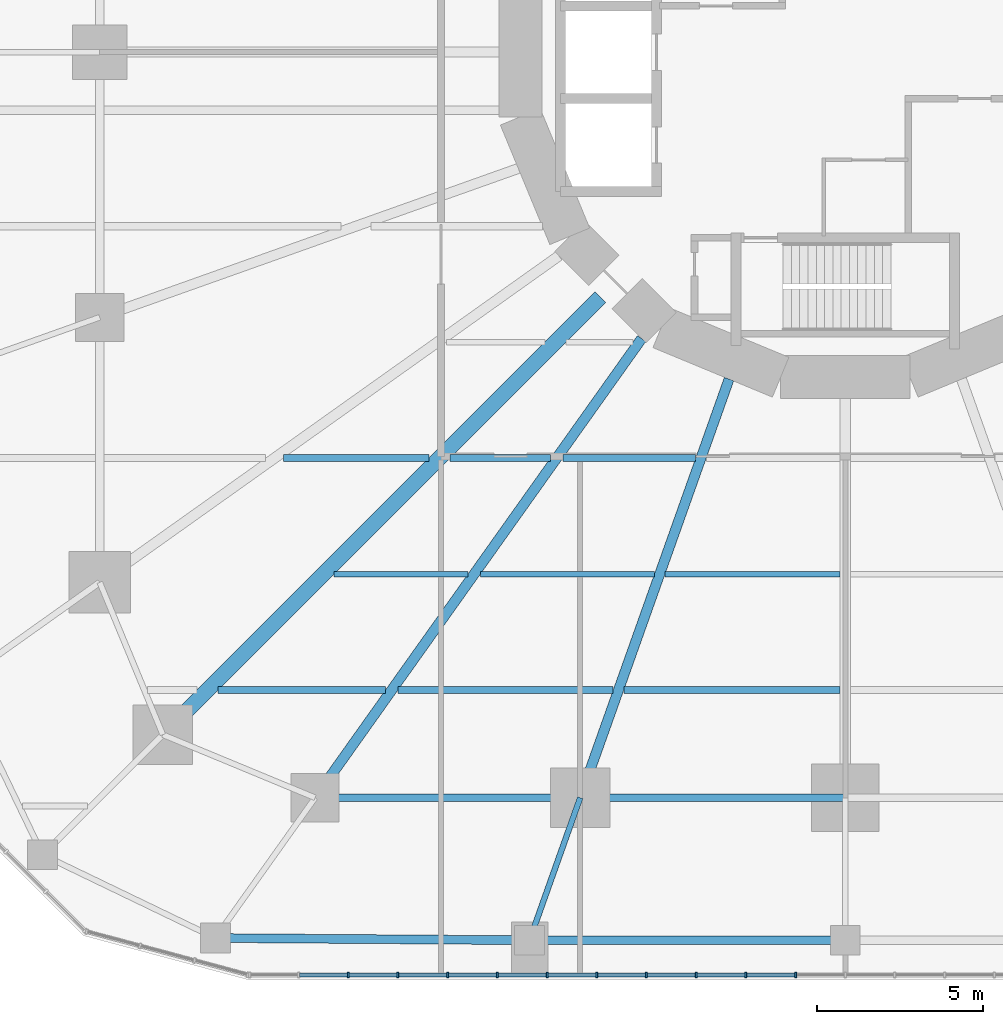
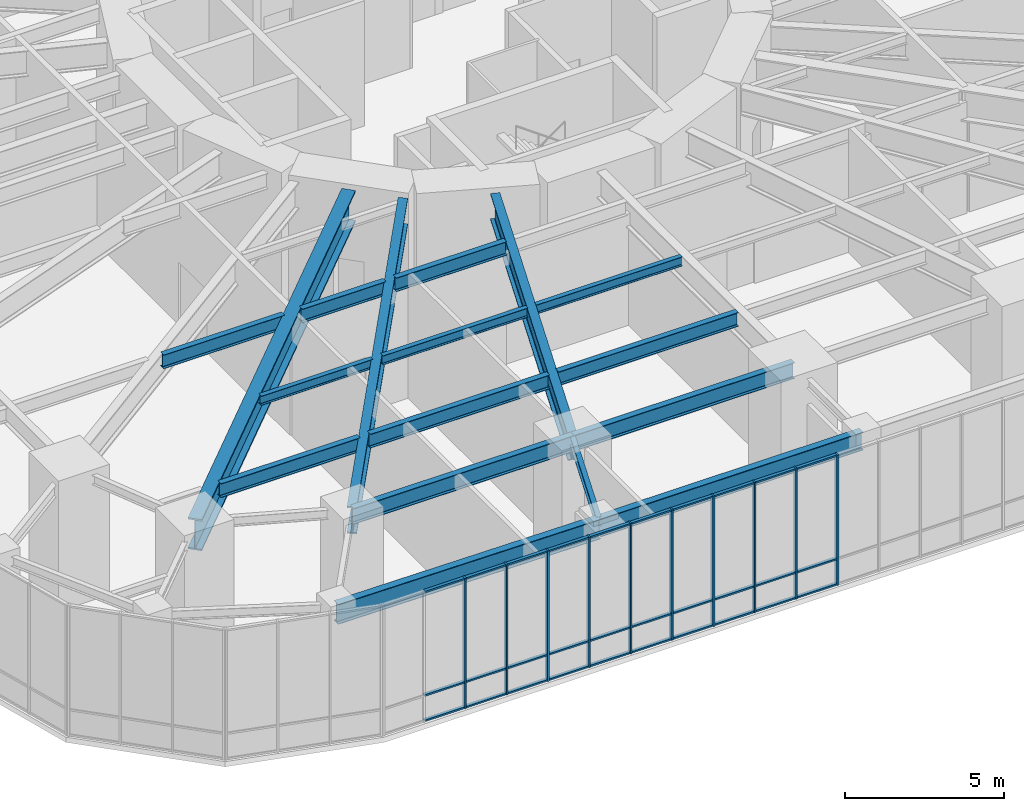
# One storey, part 3 of 24: 40 members, 17 beams, 1 element without a shape of its own.
"""IFC4 building model written with IfcOpenShell, lengths in metres."""

from ifc_helpers import new_model, si_unit, direction, frame, origin, origin_2d, place, context, subcontext, project, spatial, rectangle, i_section, extrude, material, material_profile, profile_set, type_object, element, aggregate, save


model = new_model("IFC4")

# Units and contexts
model_context = context("Model", 3, precision=1e-05, world=origin(), true_north=direction((0.0, 1.0)))
body_context = subcontext(model_context, "Body", "Model", "MODEL_VIEW")
ifc_project = project(units=[si_unit("LENGTHUNIT", "METRE"), si_unit("AREAUNIT", "SQUARE_METRE"), si_unit("VOLUMEUNIT", "CUBIC_METRE"), si_unit("PLANEANGLEUNIT", "RADIAN"), si_unit("MASSUNIT", "GRAM", prefix="KILO")], contexts=[model_context])

# Site, building, storey
site_placement = place(None, origin())
site = spatial("IfcSite", under=ifc_project, at=site_placement, CompositionType="ELEMENT")
building_placement = place(site_placement, origin())
building = spatial("IfcBuilding", under=site, at=building_placement, Name="Nakasero Lantern House", CompositionType="ELEMENT")
storey_placement = place(building_placement, frame((0.0, 0.0, 11.0)))
storey = spatial("IfcBuildingStorey", under=building, at=storey_placement, Name="L02", CompositionType="ELEMENT", Elevation=11.0)

# Beams
ifc_material_1 = material(Name="Steel S355", Category="steel")
ifc_material_profile_1 = material_profile(ifc_material_1, i_section(OverallWidth=0.17138671875, OverallDepth=0.35498046875, WebThickness=0.00732421875, FlangeThickness=0.011474609375, FilletRadius=0.01025390625, at=origin_2d()), Name="UB 356x171x51")
ifc_profile_set_1 = profile_set([ifc_material_profile_1], Name="Steel S355")
beam_type_1 = type_object("IfcBeamType", Name="Infill beam UB 356x171x51", PredefinedType="JOIST", material=ifc_profile_set_1)
beam_1_placement = place(storey_placement, frame((-15.431884765625, -15.75, 4.62255859375), z_axis=(1.0, 0.0, 0.0), x_axis=(0.0, 1.0, 0.0)))
element("IfcBeam", 1, at=beam_1_placement, inside=storey, type_object=beam_type_1, Name="Infill beam L03 04.1", PredefinedType="JOIST", context=body_context, shape_type="SweptSolid", body=[
    extrude(i_section(OverallWidth=0.17138671875, OverallDepth=0.35498046875, WebThickness=0.00732421875, FlangeThickness=0.011474609375, FilletRadius=0.01025390625, at=origin_2d()), origin(), (0.0, 0.0, 1.0), 4.042724609375),
])
beam_2_placement = place(storey_placement, frame((-11.0107421875, -15.75, 4.62255859375), z_axis=(1.0, 0.0, 0.0), x_axis=(0.0, 1.0, 0.0)))
element("IfcBeam", 2, at=beam_2_placement, inside=storey, type_object=beam_type_1, Name="Infill beam L03 04.2", PredefinedType="JOIST", context=body_context, shape_type="SweptSolid", body=[
    extrude(i_section(OverallWidth=0.17138671875, OverallDepth=0.35498046875, WebThickness=0.00732421875, FlangeThickness=0.011474609375, FilletRadius=0.01025390625, at=origin_2d()), origin(), (0.0, 0.0, 1.0), 5.25048828125),
])
beam_3_placement = place(storey_placement, frame((-5.439697265625, -15.75, 4.62255859375), z_axis=(1.0, 0.0, 0.0), x_axis=(0.0, 1.0, 0.0)))
element("IfcBeam", 3, at=beam_3_placement, inside=storey, type_object=beam_type_1, Name="Infill beam L03 04.3", PredefinedType="JOIST", context=body_context, shape_type="SweptSolid", body=[
    extrude(i_section(OverallWidth=0.17138671875, OverallDepth=0.35498046875, WebThickness=0.00732421875, FlangeThickness=0.011474609375, FilletRadius=0.01025390625, at=origin_2d()), origin(), (0.0, 0.0, 1.0), 5.287109375),
])
ifc_material_2 = material(Name="Steel S355", Category="steel")
ifc_material_profile_2 = material_profile(ifc_material_2, i_section(OverallWidth=0.2099609375, OverallDepth=0.53662109375, WebThickness=0.0107421875, FlangeThickness=0.017333984375, FilletRadius=0.0126953125, at=origin_2d()), Name="UB 533x210x101")
ifc_profile_set_2 = profile_set([ifc_material_profile_2], Name="Steel S355")
beam_type_2 = type_object("IfcBeamType", Name="Infill beam UB 533x210x101", PredefinedType="JOIST", material=ifc_profile_set_2)
beam_4_placement = place(storey_placement, frame((-18.931884765625, -19.25, 4.53173828125), z_axis=(1.0, 0.0, 0.0), x_axis=(0.0, 1.0, 0.0)))
element("IfcBeam", 4, at=beam_4_placement, inside=storey, type_object=beam_type_2, Name="Infill beam L03 03.2", PredefinedType="JOIST", context=body_context, shape_type="SweptSolid", body=[
    extrude(i_section(OverallWidth=0.2099609375, OverallDepth=0.53662109375, WebThickness=0.0107421875, FlangeThickness=0.017333984375, FilletRadius=0.0126953125, at=origin_2d()), origin(), (0.0, 0.0, 1.0), 5.0537109375),
])
beam_5_placement = place(storey_placement, frame((-13.49951171875, -19.25, 4.53173828125), z_axis=(1.0, 0.0, 0.0), x_axis=(0.0, 1.0, 0.0)))
element("IfcBeam", 5, at=beam_5_placement, inside=storey, type_object=beam_type_2, Name="Infill beam L03 03.3", PredefinedType="JOIST", context=body_context, shape_type="SweptSolid", body=[
    extrude(i_section(OverallWidth=0.2099609375, OverallDepth=0.53662109375, WebThickness=0.0107421875, FlangeThickness=0.017333984375, FilletRadius=0.0126953125, at=origin_2d()), origin(), (0.0, 0.0, 1.0), 6.494873046875),
])
beam_6_placement = place(storey_placement, frame((-6.68408203125, -19.25, 4.53173828125), z_axis=(1.0, 0.0, 0.0), x_axis=(0.0, 1.0, 0.0)))
element("IfcBeam", 6, at=beam_6_placement, inside=storey, type_object=beam_type_2, Name="Infill beam L03 03.4", PredefinedType="JOIST", context=body_context, shape_type="SweptSolid", body=[
    extrude(i_section(OverallWidth=0.2099609375, OverallDepth=0.53662109375, WebThickness=0.0107421875, FlangeThickness=0.017333984375, FilletRadius=0.0126953125, at=origin_2d()), origin(), (0.0, 0.0, 1.0), 6.531494140625),
])
ifc_material_3 = material(Name="Steel S355", Category="steel")
ifc_material_profile_3 = material_profile(ifc_material_3, i_section(OverallWidth=0.208740234375, OverallDepth=0.5283203125, WebThickness=0.009521484375, FlangeThickness=0.01318359375, FilletRadius=0.0126953125, at=origin_2d()), Name="UB 533x210x82")
ifc_profile_set_3 = profile_set([ifc_material_profile_3], Name="Steel S355")
beam_type_3 = type_object("IfcBeamType", Name="Infill beam UB 533x210x82", PredefinedType="JOIST", material=ifc_profile_set_3)
beam_7_placement = place(storey_placement, frame((-16.96044921875, -12.25, 4.535888671875), z_axis=(1.0, 0.0, 0.0), x_axis=(0.0, 1.0, 0.0)))
element("IfcBeam", 7, at=beam_7_placement, inside=storey, type_object=beam_type_3, Name="Infill beam L03 05.3", PredefinedType="JOIST", context=body_context, shape_type="SweptSolid", body=[
    extrude(i_section(OverallWidth=0.208740234375, OverallDepth=0.5283203125, WebThickness=0.009521484375, FlangeThickness=0.01318359375, FilletRadius=0.0126953125, at=origin_2d()), origin(), (0.0, 0.0, 1.0), 4.392333984375),
])
beam_8_placement = place(storey_placement, frame((-11.931884765625, -12.25, 4.535888671875), z_axis=(1.0, 0.0, 0.0), x_axis=(0.0, 1.0, 0.0)))
element("IfcBeam", 8, at=beam_8_placement, inside=storey, type_object=beam_type_3, Name="Infill beam L03 05.4", PredefinedType="JOIST", context=body_context, shape_type="SweptSolid", body=[
    extrude(i_section(OverallWidth=0.208740234375, OverallDepth=0.5283203125, WebThickness=0.009521484375, FlangeThickness=0.01318359375, FilletRadius=0.0126953125, at=origin_2d()), origin(), (0.0, 0.0, 1.0), 3.031494140625),
])
beam_9_placement = place(storey_placement, frame((-8.521728515625, -12.25, 4.535888671875), z_axis=(1.0, 0.0, 0.0), x_axis=(0.0, 1.0, 0.0)))
element("IfcBeam", 9, at=beam_9_placement, inside=storey, type_object=beam_type_3, Name="Infill beam L03 05.5", PredefinedType="JOIST", context=body_context, shape_type="SweptSolid", body=[
    extrude(i_section(OverallWidth=0.208740234375, OverallDepth=0.5283203125, WebThickness=0.009521484375, FlangeThickness=0.01318359375, FilletRadius=0.0126953125, at=origin_2d()), origin(), (0.0, 0.0, 1.0), 4.005859375),
])

# Curtain wall, members
ifc_material_4 = material(Name="Aluminium 6063-T6 and glass", Category="aluminium")
curtain_wall_type = type_object("IfcCurtainWallType", Name="Podium curtain wall CW-2", PredefinedType="USERDEFINED", material=ifc_material_4)
curtain_wall_placement = place(storey_placement, origin())
curtain_wall = element("IfcCurtainWall", 10, at=curtain_wall_placement, inside=storey, type_object=curtain_wall_type, Name="Curtain wall CW-2 L02", ObjectType="STICK CURTAIN WALL", PredefinedType="USERDEFINED")
ifc_material_5 = material(Name="Aluminium 6063-T6", Category="aluminium")
ifc_material_profile_4 = material_profile(ifc_material_5, rectangle(XDim=0.06005859375, YDim=0.159912109375, at=origin_2d()), Name="CW-2 mullion 60x160")
ifc_profile_set_4 = profile_set([ifc_material_profile_4], Name="Aluminium 6063-T6")
member_type_1 = type_object("IfcMemberType", Name="Mullion CW-2", PredefinedType="MULLION", material=ifc_profile_set_4)
member_1_placement = place(storey_placement, frame((-15.0, -27.85009765625, 0.0), z_axis=(0.0, 0.0, 1.0), x_axis=(1.0, 0.0, 0.0)))
member_1 = element("IfcMember", 11, at=member_1_placement, type_object=member_type_1, Name="CW-2 mullion 3", PredefinedType="MULLION", context=body_context, shape_type="SweptSolid", body=[
    extrude(rectangle(XDim=0.06005859375, YDim=0.159912109375, at=origin_2d()), origin(), (0.0, 0.0, 1.0), 5.0),
])
member_2_placement = place(storey_placement, frame((-13.5, -27.85009765625, 0.0), z_axis=(0.0, 0.0, 1.0), x_axis=(1.0, 0.0, 0.0)))
member_2 = element("IfcMember", 12, at=member_2_placement, type_object=member_type_1, Name="CW-2 mullion 4", PredefinedType="MULLION", context=body_context, shape_type="SweptSolid", body=[
    extrude(rectangle(XDim=0.06005859375, YDim=0.159912109375, at=origin_2d()), origin(), (0.0, 0.0, 1.0), 5.0),
])
member_3_placement = place(storey_placement, frame((-12.0, -27.85009765625, 0.0), z_axis=(0.0, 0.0, 1.0), x_axis=(1.0, 0.0, 0.0)))
member_3 = element("IfcMember", 13, at=member_3_placement, type_object=member_type_1, Name="CW-2 mullion 5", PredefinedType="MULLION", context=body_context, shape_type="SweptSolid", body=[
    extrude(rectangle(XDim=0.06005859375, YDim=0.159912109375, at=origin_2d()), origin(), (0.0, 0.0, 1.0), 5.0),
])
member_4_placement = place(storey_placement, frame((-10.5, -27.85009765625, 0.0), z_axis=(0.0, 0.0, 1.0), x_axis=(1.0, 0.0, 0.0)))
member_4 = element("IfcMember", 14, at=member_4_placement, type_object=member_type_1, Name="CW-2 mullion 6", PredefinedType="MULLION", context=body_context, shape_type="SweptSolid", body=[
    extrude(rectangle(XDim=0.06005859375, YDim=0.159912109375, at=origin_2d()), origin(), (0.0, 0.0, 1.0), 5.0),
])
member_5_placement = place(storey_placement, frame((-9.0, -27.85009765625, 0.0), z_axis=(0.0, 0.0, 1.0), x_axis=(1.0, 0.0, 0.0)))
member_5 = element("IfcMember", 15, at=member_5_placement, type_object=member_type_1, Name="CW-2 mullion 7", PredefinedType="MULLION", context=body_context, shape_type="SweptSolid", body=[
    extrude(rectangle(XDim=0.06005859375, YDim=0.159912109375, at=origin_2d()), origin(), (0.0, 0.0, 1.0), 5.0),
])
member_6_placement = place(storey_placement, frame((-7.5, -27.85009765625, 0.0), z_axis=(0.0, 0.0, 1.0), x_axis=(1.0, 0.0, 0.0)))
member_6 = element("IfcMember", 16, at=member_6_placement, type_object=member_type_1, Name="CW-2 mullion 8", PredefinedType="MULLION", context=body_context, shape_type="SweptSolid", body=[
    extrude(rectangle(XDim=0.06005859375, YDim=0.159912109375, at=origin_2d()), origin(), (0.0, 0.0, 1.0), 5.0),
])
member_7_placement = place(storey_placement, frame((-6.0, -27.85009765625, 0.0), z_axis=(0.0, 0.0, 1.0), x_axis=(1.0, 0.0, 0.0)))
member_7 = element("IfcMember", 17, at=member_7_placement, type_object=member_type_1, Name="CW-2 mullion 9", PredefinedType="MULLION", context=body_context, shape_type="SweptSolid", body=[
    extrude(rectangle(XDim=0.06005859375, YDim=0.159912109375, at=origin_2d()), origin(), (0.0, 0.0, 1.0), 5.0),
])
member_8_placement = place(storey_placement, frame((-4.5, -27.85009765625, 0.0), z_axis=(0.0, 0.0, 1.0), x_axis=(1.0, 0.0, 0.0)))
member_8 = element("IfcMember", 18, at=member_8_placement, type_object=member_type_1, Name="CW-2 mullion 10", PredefinedType="MULLION", context=body_context, shape_type="SweptSolid", body=[
    extrude(rectangle(XDim=0.06005859375, YDim=0.159912109375, at=origin_2d()), origin(), (0.0, 0.0, 1.0), 5.0),
])
member_9_placement = place(storey_placement, frame((-3.0, -27.85009765625, 0.0), z_axis=(0.0, 0.0, 1.0), x_axis=(1.0, 0.0, 0.0)))
member_9 = element("IfcMember", 19, at=member_9_placement, type_object=member_type_1, Name="CW-2 mullion 11", PredefinedType="MULLION", context=body_context, shape_type="SweptSolid", body=[
    extrude(rectangle(XDim=0.06005859375, YDim=0.159912109375, at=origin_2d()), origin(), (0.0, 0.0, 1.0), 5.0),
])
member_10_placement = place(storey_placement, frame((-1.5, -27.85009765625, 0.0), z_axis=(0.0, 0.0, 1.0), x_axis=(1.0, 0.0, 0.0)))
member_10 = element("IfcMember", 20, at=member_10_placement, type_object=member_type_1, Name="CW-2 mullion 12", PredefinedType="MULLION", context=body_context, shape_type="SweptSolid", body=[
    extrude(rectangle(XDim=0.06005859375, YDim=0.159912109375, at=origin_2d()), origin(), (0.0, 0.0, 1.0), 5.0),
])

# Beams
ifc_material_6 = material(Name="Steel S355", Category="steel")
ifc_material_profile_5 = material_profile(ifc_material_6, i_section(OverallWidth=0.449951171875, OverallDepth=1.199951171875, WebThickness=0.02490234375, FlangeThickness=0.06005859375, at=origin_2d()), Name="PG 1200x450x636")
ifc_profile_set_5 = profile_set([ifc_material_profile_5], Name="Steel S355")
beam_type_4 = type_object("IfcBeamType", Name="Primary beam PG 1200x450x636, span over 15 m", PredefinedType="BEAM", material=ifc_profile_set_5)
beam_10_placement = place(storey_placement, frame((-20.59619140625, -20.59619140625, 4.199951171875), z_axis=(0.707106781187, 0.707106781187, 0.0), x_axis=(-0.707106781187, 0.707106781187, 0.0)))
element("IfcBeam", 21, at=beam_10_placement, inside=storey, type_object=beam_type_4, Name="Primary beam L03 B1-C18", PredefinedType="BEAM", context=body_context, shape_type="SweptSolid", body=[
    extrude(i_section(OverallWidth=0.449951171875, OverallDepth=1.199951171875, WebThickness=0.02490234375, FlangeThickness=0.06005859375, at=origin_2d()), origin(), (0.0, 0.0, 1.0), 18.669677734375),
])
ifc_material_7 = material(Name="Steel S355", Category="steel")
ifc_material_profile_6 = material_profile(ifc_material_7, i_section(OverallWidth=0.302001953125, OverallDepth=1.008056640625, WebThickness=0.02099609375, FlangeThickness=0.0400390625, FilletRadius=0.030029296875, at=origin_2d()), Name="UB 1016x305x349")
ifc_profile_set_6 = profile_set([ifc_material_profile_6], Name="Steel S355")
beam_type_5 = type_object("IfcBeamType", Name="Primary beam UB 1016x305x349, span 12 to 15 m", PredefinedType="BEAM", material=ifc_profile_set_6)
beam_11_placement = place(storey_placement, frame((-8.0, -22.5, 4.2958984375), z_axis=(0.335010745293, 0.942214307118, 0.0), x_axis=(-0.942214307118, 0.335010745293, 0.0)))
element("IfcBeam", 22, at=beam_11_placement, inside=storey, type_object=beam_type_5, Name="Primary beam L03 B1-C20", PredefinedType="BEAM", context=body_context, shape_type="SweptSolid", body=[
    extrude(i_section(OverallWidth=0.302001953125, OverallDepth=1.008056640625, WebThickness=0.02099609375, FlangeThickness=0.0400390625, FilletRadius=0.030029296875, at=origin_2d()), origin(), (0.0, 0.0, 1.0), 13.408447265625),
])
ifc_material_8 = material(Name="Steel S355", Category="steel")
ifc_material_profile_7 = material_profile(ifc_material_8, i_section(OverallWidth=0.30859375, OverallDepth=1.036376953125, WebThickness=0.030029296875, FlangeThickness=0.05419921875, FilletRadius=0.030029296875, at=origin_2d()), Name="UB 1016x305x487")
ifc_profile_set_7 = profile_set([ifc_material_profile_7], Name="Steel S355")
beam_type_6 = type_object("IfcBeamType", Name="Primary beam UB 1016x305x487, span over 15 m", PredefinedType="BEAM", material=ifc_profile_set_7)
beam_12_placement = place(storey_placement, frame((-16.0, -22.5, 4.28173828125), z_axis=(0.579528236629, 0.814952159915, 0.0), x_axis=(-0.814952159915, 0.579528236629, 0.0)))
element("IfcBeam", 23, at=beam_12_placement, inside=storey, type_object=beam_type_6, Name="Primary beam L03 B1-C19", PredefinedType="BEAM", context=body_context, shape_type="SweptSolid", body=[
    extrude(i_section(OverallWidth=0.30859375, OverallDepth=1.036376953125, WebThickness=0.030029296875, FlangeThickness=0.05419921875, FilletRadius=0.030029296875, at=origin_2d()), origin(), (0.0, 0.0, 1.0), 17.003173828125),
])
ifc_material_9 = material(Name="Steel S355", Category="steel")
ifc_material_profile_8 = material_profile(ifc_material_9, i_section(OverallWidth=0.17138671875, OverallDepth=0.35498046875, WebThickness=0.00732421875, FlangeThickness=0.011474609375, FilletRadius=0.01025390625, at=origin_2d()), Name="UB 356x171x51")
ifc_profile_set_8 = profile_set([ifc_material_profile_8], Name="Steel S355")
beam_type_7 = type_object("IfcBeamType", Name="Primary beam UB 356x171x51, span to 6 m", PredefinedType="BEAM", material=ifc_profile_set_8)
beam_13_placement = place(storey_placement, frame((-9.52880859375, -26.800048828125, 4.572509765625), z_axis=(0.334990670833, 0.942221444489, 0.0), x_axis=(-0.942221444489, 0.334990670833, 0.0)))
element("IfcBeam", 24, at=beam_13_placement, inside=storey, type_object=beam_type_7, Name="Primary beam L03 POD-C20", PredefinedType="BEAM", context=body_context, shape_type="SweptSolid", body=[
    extrude(i_section(OverallWidth=0.17138671875, OverallDepth=0.35498046875, WebThickness=0.00732421875, FlangeThickness=0.011474609375, FilletRadius=0.01025390625, at=origin_2d()), origin(), (0.0, 0.0, 1.0), 4.563720703125),
])
ifc_material_10 = material(Name="Steel S355", Category="steel")
ifc_material_profile_9 = material_profile(ifc_material_10, i_section(OverallWidth=0.22900390625, OverallDepth=0.6123046875, WebThickness=0.011962890625, FlangeThickness=0.01953125, FilletRadius=0.0126953125, at=origin_2d()), Name="UB 610x229x125")
ifc_profile_set_9 = profile_set([ifc_material_profile_9], Name="Steel S355")
beam_type_8 = type_object("IfcBeamType", Name="Ring beam UB 610x229x125", PredefinedType="BEAM", material=ifc_profile_set_9)
for number, where, z_axis, x_axis, name in (
    (25, (-16.0, -22.5, 4.493896484375), (1.0, 0.0, 0.0), (0.0, 1.0, 0.0), "Ring beam L03 B1-C19"),
    (26, (-8.0, -22.5, 4.493896484375), (1.0, 0.0, 0.0), (0.0, 1.0, 0.0), "Ring beam L03 B1-C20"),
):
    element("IfcBeam", number, at=place(storey_placement, frame(where, z_axis=z_axis, x_axis=x_axis)), inside=storey, type_object=beam_type_8, Name=name, PredefinedType="BEAM", context=body_context, shape_type="SweptSolid", body=[
        extrude(i_section(OverallWidth=0.22900390625, OverallDepth=0.6123046875, WebThickness=0.011962890625, FlangeThickness=0.01953125, FilletRadius=0.0126953125, at=origin_2d()), origin(), (0.0, 0.0, 1.0), 8.0),
    ])
ifc_material_11 = material(Name="Steel S355", Category="steel")
ifc_material_profile_10 = material_profile(ifc_material_11, i_section(OverallWidth=0.255859375, OverallDepth=0.69287109375, WebThickness=0.014404296875, FlangeThickness=0.023681640625, FilletRadius=0.01513671875, at=origin_2d()), Name="UB 686x254x170")
ifc_profile_set_10 = profile_set([ifc_material_profile_10], Name="Steel S355")
beam_type_9 = type_object("IfcBeamType", Name="Ring beam UB 686x254x170", PredefinedType="BEAM", material=ifc_profile_set_10)
beam_14_placement = place(storey_placement, frame((-9.52880859375, -26.800048828125, 4.403564453125), z_axis=(1.0, 0.0, 0.0), x_axis=(0.0, 1.0, 0.0)))
element("IfcBeam", 27, at=beam_14_placement, inside=storey, type_object=beam_type_9, Name="Ring beam L03 POD-C20", PredefinedType="BEAM", context=body_context, shape_type="SweptSolid", body=[
    extrude(i_section(OverallWidth=0.255859375, OverallDepth=0.69287109375, WebThickness=0.014404296875, FlangeThickness=0.023681640625, FilletRadius=0.01513671875, at=origin_2d()), origin(), (0.0, 0.0, 1.0), 9.52880859375),
])
ifc_material_12 = material(Name="Steel S355", Category="steel")
ifc_material_profile_11 = material_profile(ifc_material_12, i_section(OverallWidth=0.2666015625, OverallDepth=0.76220703125, WebThickness=0.014404296875, FlangeThickness=0.021484375, FilletRadius=0.0166015625, at=origin_2d()), Name="UB 762x267x173")
ifc_profile_set_11 = profile_set([ifc_material_profile_11], Name="Steel S355")
beam_type_10 = type_object("IfcBeamType", Name="Ring beam UB 762x267x173", PredefinedType="BEAM", material=ifc_profile_set_11)
beam_15_placement = place(storey_placement, frame((-19.0107421875, -26.733642578125, 4.368896484375), z_axis=(0.999975476745, -0.007003278482, 0.0), x_axis=(0.007003278482, 0.999975476745, 0.0)))
element("IfcBeam", 28, at=beam_15_placement, inside=storey, type_object=beam_type_10, Name="Ring beam L03 POD-C19", PredefinedType="BEAM", context=body_context, shape_type="SweptSolid", body=[
    extrude(i_section(OverallWidth=0.2666015625, OverallDepth=0.76220703125, WebThickness=0.014404296875, FlangeThickness=0.021484375, FilletRadius=0.0166015625, at=origin_2d()), origin(), (0.0, 0.0, 1.0), 9.482177734375),
])

# Member
ifc_material_13 = material(Name="Aluminium 6063-T6", Category="aluminium")
ifc_material_profile_12 = material_profile(ifc_material_13, rectangle(XDim=0.06005859375, YDim=0.1201171875, at=origin_2d()), Name="CW-2 transom 60x120")
ifc_profile_set_12 = profile_set([ifc_material_profile_12], Name="Aluminium 6063-T6")
member_type_2 = type_object("IfcMemberType", Name="Transom CW-2", PredefinedType="USERDEFINED", material=ifc_profile_set_12)
member_11_placement = place(storey_placement, frame((-16.469970703125, -27.85009765625, 0.030029296875), z_axis=(1.0, 0.0, 0.0), x_axis=(0.0, 0.0, 1.0)))
member_11 = element("IfcMember", 29, at=member_11_placement, type_object=member_type_2, Name="CW-2 transom 2.1", ObjectType="TRANSOM", PredefinedType="USERDEFINED", context=body_context, shape_type="SweptSolid", body=[
    extrude(rectangle(XDim=0.06005859375, YDim=0.1201171875, at=origin_2d()), origin(), (0.0, 0.0, 1.0), 1.43994140625),
])

member_12_placement = place(storey_placement, frame((-16.469970703125, -27.85009765625, 1.0), z_axis=(1.0, 0.0, 0.0), x_axis=(0.0, 0.0, 1.0)))
member_12 = element("IfcMember", 30, at=member_12_placement, type_object=member_type_2, Name="CW-2 transom 2.2", ObjectType="TRANSOM", PredefinedType="USERDEFINED", context=body_context, shape_type="SweptSolid", body=[
    extrude(rectangle(XDim=0.06005859375, YDim=0.1201171875, at=origin_2d()), origin(), (0.0, 0.0, 1.0), 1.43994140625),
])

member_13_placement = place(storey_placement, frame((-16.469970703125, -27.85009765625, 4.969970703125), z_axis=(1.0, 0.0, 0.0), x_axis=(0.0, 0.0, 1.0)))
member_13 = element("IfcMember", 31, at=member_13_placement, type_object=member_type_2, Name="CW-2 transom 2.3", ObjectType="TRANSOM", PredefinedType="USERDEFINED", context=body_context, shape_type="SweptSolid", body=[
    extrude(rectangle(XDim=0.06005859375, YDim=0.1201171875, at=origin_2d()), origin(), (0.0, 0.0, 1.0), 1.43994140625),
])

member_14_placement = place(storey_placement, frame((-14.969970703125, -27.85009765625, 0.030029296875), z_axis=(1.0, 0.0, 0.0), x_axis=(0.0, 0.0, 1.0)))
member_14 = element("IfcMember", 32, at=member_14_placement, type_object=member_type_2, Name="CW-2 transom 3.1", ObjectType="TRANSOM", PredefinedType="USERDEFINED", context=body_context, shape_type="SweptSolid", body=[
    extrude(rectangle(XDim=0.06005859375, YDim=0.1201171875, at=origin_2d()), origin(), (0.0, 0.0, 1.0), 1.43994140625),
])

member_15_placement = place(storey_placement, frame((-14.969970703125, -27.85009765625, 1.0), z_axis=(1.0, 0.0, 0.0), x_axis=(0.0, 0.0, 1.0)))
member_15 = element("IfcMember", 33, at=member_15_placement, type_object=member_type_2, Name="CW-2 transom 3.2", ObjectType="TRANSOM", PredefinedType="USERDEFINED", context=body_context, shape_type="SweptSolid", body=[
    extrude(rectangle(XDim=0.06005859375, YDim=0.1201171875, at=origin_2d()), origin(), (0.0, 0.0, 1.0), 1.43994140625),
])

member_16_placement = place(storey_placement, frame((-14.969970703125, -27.85009765625, 4.969970703125), z_axis=(1.0, 0.0, 0.0), x_axis=(0.0, 0.0, 1.0)))
member_16 = element("IfcMember", 34, at=member_16_placement, type_object=member_type_2, Name="CW-2 transom 3.3", ObjectType="TRANSOM", PredefinedType="USERDEFINED", context=body_context, shape_type="SweptSolid", body=[
    extrude(rectangle(XDim=0.06005859375, YDim=0.1201171875, at=origin_2d()), origin(), (0.0, 0.0, 1.0), 1.43994140625),
])

member_17_placement = place(storey_placement, frame((-13.469970703125, -27.85009765625, 0.030029296875), z_axis=(1.0, 0.0, 0.0), x_axis=(0.0, 0.0, 1.0)))
member_17 = element("IfcMember", 35, at=member_17_placement, type_object=member_type_2, Name="CW-2 transom 4.1", ObjectType="TRANSOM", PredefinedType="USERDEFINED", context=body_context, shape_type="SweptSolid", body=[
    extrude(rectangle(XDim=0.06005859375, YDim=0.1201171875, at=origin_2d()), origin(), (0.0, 0.0, 1.0), 1.43994140625),
])

member_18_placement = place(storey_placement, frame((-13.469970703125, -27.85009765625, 1.0), z_axis=(1.0, 0.0, 0.0), x_axis=(0.0, 0.0, 1.0)))
member_18 = element("IfcMember", 36, at=member_18_placement, type_object=member_type_2, Name="CW-2 transom 4.2", ObjectType="TRANSOM", PredefinedType="USERDEFINED", context=body_context, shape_type="SweptSolid", body=[
    extrude(rectangle(XDim=0.06005859375, YDim=0.1201171875, at=origin_2d()), origin(), (0.0, 0.0, 1.0), 1.43994140625),
])

member_19_placement = place(storey_placement, frame((-13.469970703125, -27.85009765625, 4.969970703125), z_axis=(1.0, 0.0, 0.0), x_axis=(0.0, 0.0, 1.0)))
member_19 = element("IfcMember", 37, at=member_19_placement, type_object=member_type_2, Name="CW-2 transom 4.3", ObjectType="TRANSOM", PredefinedType="USERDEFINED", context=body_context, shape_type="SweptSolid", body=[
    extrude(rectangle(XDim=0.06005859375, YDim=0.1201171875, at=origin_2d()), origin(), (0.0, 0.0, 1.0), 1.43994140625),
])

member_20_placement = place(storey_placement, frame((-11.969970703125, -27.85009765625, 0.030029296875), z_axis=(1.0, 0.0, 0.0), x_axis=(0.0, 0.0, 1.0)))
member_20 = element("IfcMember", 38, at=member_20_placement, type_object=member_type_2, Name="CW-2 transom 5.1", ObjectType="TRANSOM", PredefinedType="USERDEFINED", context=body_context, shape_type="SweptSolid", body=[
    extrude(rectangle(XDim=0.06005859375, YDim=0.1201171875, at=origin_2d()), origin(), (0.0, 0.0, 1.0), 1.43994140625),
])

member_21_placement = place(storey_placement, frame((-11.969970703125, -27.85009765625, 1.0), z_axis=(1.0, 0.0, 0.0), x_axis=(0.0, 0.0, 1.0)))
member_21 = element("IfcMember", 39, at=member_21_placement, type_object=member_type_2, Name="CW-2 transom 5.2", ObjectType="TRANSOM", PredefinedType="USERDEFINED", context=body_context, shape_type="SweptSolid", body=[
    extrude(rectangle(XDim=0.06005859375, YDim=0.1201171875, at=origin_2d()), origin(), (0.0, 0.0, 1.0), 1.43994140625),
])

member_22_placement = place(storey_placement, frame((-11.969970703125, -27.85009765625, 4.969970703125), z_axis=(1.0, 0.0, 0.0), x_axis=(0.0, 0.0, 1.0)))
member_22 = element("IfcMember", 40, at=member_22_placement, type_object=member_type_2, Name="CW-2 transom 5.3", ObjectType="TRANSOM", PredefinedType="USERDEFINED", context=body_context, shape_type="SweptSolid", body=[
    extrude(rectangle(XDim=0.06005859375, YDim=0.1201171875, at=origin_2d()), origin(), (0.0, 0.0, 1.0), 1.43994140625),
])

member_23_placement = place(storey_placement, frame((-10.469970703125, -27.85009765625, 0.030029296875), z_axis=(1.0, 0.0, 0.0), x_axis=(0.0, 0.0, 1.0)))
member_23 = element("IfcMember", 41, at=member_23_placement, type_object=member_type_2, Name="CW-2 transom 6.1", ObjectType="TRANSOM", PredefinedType="USERDEFINED", context=body_context, shape_type="SweptSolid", body=[
    extrude(rectangle(XDim=0.06005859375, YDim=0.1201171875, at=origin_2d()), origin(), (0.0, 0.0, 1.0), 1.43994140625),
])

member_24_placement = place(storey_placement, frame((-10.469970703125, -27.85009765625, 1.0), z_axis=(1.0, 0.0, 0.0), x_axis=(0.0, 0.0, 1.0)))
member_24 = element("IfcMember", 42, at=member_24_placement, type_object=member_type_2, Name="CW-2 transom 6.2", ObjectType="TRANSOM", PredefinedType="USERDEFINED", context=body_context, shape_type="SweptSolid", body=[
    extrude(rectangle(XDim=0.06005859375, YDim=0.1201171875, at=origin_2d()), origin(), (0.0, 0.0, 1.0), 1.43994140625),
])

member_25_placement = place(storey_placement, frame((-10.469970703125, -27.85009765625, 4.969970703125), z_axis=(1.0, 0.0, 0.0), x_axis=(0.0, 0.0, 1.0)))
member_25 = element("IfcMember", 43, at=member_25_placement, type_object=member_type_2, Name="CW-2 transom 6.3", ObjectType="TRANSOM", PredefinedType="USERDEFINED", context=body_context, shape_type="SweptSolid", body=[
    extrude(rectangle(XDim=0.06005859375, YDim=0.1201171875, at=origin_2d()), origin(), (0.0, 0.0, 1.0), 1.43994140625),
])

member_26_placement = place(storey_placement, frame((-8.969970703125, -27.85009765625, 0.030029296875), z_axis=(1.0, 0.0, 0.0), x_axis=(0.0, 0.0, 1.0)))
member_26 = element("IfcMember", 44, at=member_26_placement, type_object=member_type_2, Name="CW-2 transom 7.1", ObjectType="TRANSOM", PredefinedType="USERDEFINED", context=body_context, shape_type="SweptSolid", body=[
    extrude(rectangle(XDim=0.06005859375, YDim=0.1201171875, at=origin_2d()), origin(), (0.0, 0.0, 1.0), 1.43994140625),
])

member_27_placement = place(storey_placement, frame((-8.969970703125, -27.85009765625, 1.0), z_axis=(1.0, 0.0, 0.0), x_axis=(0.0, 0.0, 1.0)))
member_27 = element("IfcMember", 45, at=member_27_placement, type_object=member_type_2, Name="CW-2 transom 7.2", ObjectType="TRANSOM", PredefinedType="USERDEFINED", context=body_context, shape_type="SweptSolid", body=[
    extrude(rectangle(XDim=0.06005859375, YDim=0.1201171875, at=origin_2d()), origin(), (0.0, 0.0, 1.0), 1.43994140625),
])

member_28_placement = place(storey_placement, frame((-8.969970703125, -27.85009765625, 4.969970703125), z_axis=(1.0, 0.0, 0.0), x_axis=(0.0, 0.0, 1.0)))
member_28 = element("IfcMember", 46, at=member_28_placement, type_object=member_type_2, Name="CW-2 transom 7.3", ObjectType="TRANSOM", PredefinedType="USERDEFINED", context=body_context, shape_type="SweptSolid", body=[
    extrude(rectangle(XDim=0.06005859375, YDim=0.1201171875, at=origin_2d()), origin(), (0.0, 0.0, 1.0), 1.43994140625),
])

member_29_placement = place(storey_placement, frame((-7.469970703125, -27.85009765625, 0.030029296875), z_axis=(1.0, 0.0, 0.0), x_axis=(0.0, 0.0, 1.0)))
member_29 = element("IfcMember", 47, at=member_29_placement, type_object=member_type_2, Name="CW-2 transom 8.1", ObjectType="TRANSOM", PredefinedType="USERDEFINED", context=body_context, shape_type="SweptSolid", body=[
    extrude(rectangle(XDim=0.06005859375, YDim=0.1201171875, at=origin_2d()), origin(), (0.0, 0.0, 1.0), 1.43994140625),
])

member_30_placement = place(storey_placement, frame((-7.469970703125, -27.85009765625, 1.0), z_axis=(1.0, 0.0, 0.0), x_axis=(0.0, 0.0, 1.0)))
member_30 = element("IfcMember", 48, at=member_30_placement, type_object=member_type_2, Name="CW-2 transom 8.2", ObjectType="TRANSOM", PredefinedType="USERDEFINED", context=body_context, shape_type="SweptSolid", body=[
    extrude(rectangle(XDim=0.06005859375, YDim=0.1201171875, at=origin_2d()), origin(), (0.0, 0.0, 1.0), 1.43994140625),
])

member_31_placement = place(storey_placement, frame((-7.469970703125, -27.85009765625, 4.969970703125), z_axis=(1.0, 0.0, 0.0), x_axis=(0.0, 0.0, 1.0)))
member_31 = element("IfcMember", 49, at=member_31_placement, type_object=member_type_2, Name="CW-2 transom 8.3", ObjectType="TRANSOM", PredefinedType="USERDEFINED", context=body_context, shape_type="SweptSolid", body=[
    extrude(rectangle(XDim=0.06005859375, YDim=0.1201171875, at=origin_2d()), origin(), (0.0, 0.0, 1.0), 1.43994140625),
])

member_32_placement = place(storey_placement, frame((-5.969970703125, -27.85009765625, 0.030029296875), z_axis=(1.0, 0.0, 0.0), x_axis=(0.0, 0.0, 1.0)))
member_32 = element("IfcMember", 50, at=member_32_placement, type_object=member_type_2, Name="CW-2 transom 9.1", ObjectType="TRANSOM", PredefinedType="USERDEFINED", context=body_context, shape_type="SweptSolid", body=[
    extrude(rectangle(XDim=0.06005859375, YDim=0.1201171875, at=origin_2d()), origin(), (0.0, 0.0, 1.0), 1.43994140625),
])

member_33_placement = place(storey_placement, frame((-5.969970703125, -27.85009765625, 1.0), z_axis=(1.0, 0.0, 0.0), x_axis=(0.0, 0.0, 1.0)))
member_33 = element("IfcMember", 51, at=member_33_placement, type_object=member_type_2, Name="CW-2 transom 9.2", ObjectType="TRANSOM", PredefinedType="USERDEFINED", context=body_context, shape_type="SweptSolid", body=[
    extrude(rectangle(XDim=0.06005859375, YDim=0.1201171875, at=origin_2d()), origin(), (0.0, 0.0, 1.0), 1.43994140625),
])

member_34_placement = place(storey_placement, frame((-5.969970703125, -27.85009765625, 4.969970703125), z_axis=(1.0, 0.0, 0.0), x_axis=(0.0, 0.0, 1.0)))
member_34 = element("IfcMember", 52, at=member_34_placement, type_object=member_type_2, Name="CW-2 transom 9.3", ObjectType="TRANSOM", PredefinedType="USERDEFINED", context=body_context, shape_type="SweptSolid", body=[
    extrude(rectangle(XDim=0.06005859375, YDim=0.1201171875, at=origin_2d()), origin(), (0.0, 0.0, 1.0), 1.43994140625),
])

member_35_placement = place(storey_placement, frame((-4.469970703125, -27.85009765625, 0.030029296875), z_axis=(1.0, 0.0, 0.0), x_axis=(0.0, 0.0, 1.0)))
member_35 = element("IfcMember", 53, at=member_35_placement, type_object=member_type_2, Name="CW-2 transom 10.1", ObjectType="TRANSOM", PredefinedType="USERDEFINED", context=body_context, shape_type="SweptSolid", body=[
    extrude(rectangle(XDim=0.06005859375, YDim=0.1201171875, at=origin_2d()), origin(), (0.0, 0.0, 1.0), 1.43994140625),
])

member_36_placement = place(storey_placement, frame((-4.469970703125, -27.85009765625, 1.0), z_axis=(1.0, 0.0, 0.0), x_axis=(0.0, 0.0, 1.0)))
member_36 = element("IfcMember", 54, at=member_36_placement, type_object=member_type_2, Name="CW-2 transom 10.2", ObjectType="TRANSOM", PredefinedType="USERDEFINED", context=body_context, shape_type="SweptSolid", body=[
    extrude(rectangle(XDim=0.06005859375, YDim=0.1201171875, at=origin_2d()), origin(), (0.0, 0.0, 1.0), 1.43994140625),
])

member_37_placement = place(storey_placement, frame((-4.469970703125, -27.85009765625, 4.969970703125), z_axis=(1.0, 0.0, 0.0), x_axis=(0.0, 0.0, 1.0)))
member_37 = element("IfcMember", 55, at=member_37_placement, type_object=member_type_2, Name="CW-2 transom 10.3", ObjectType="TRANSOM", PredefinedType="USERDEFINED", context=body_context, shape_type="SweptSolid", body=[
    extrude(rectangle(XDim=0.06005859375, YDim=0.1201171875, at=origin_2d()), origin(), (0.0, 0.0, 1.0), 1.43994140625),
])

member_38_placement = place(storey_placement, frame((-2.969970703125, -27.85009765625, 0.030029296875), z_axis=(1.0, 0.0, 0.0), x_axis=(0.0, 0.0, 1.0)))
member_38 = element("IfcMember", 56, at=member_38_placement, type_object=member_type_2, Name="CW-2 transom 11.1", ObjectType="TRANSOM", PredefinedType="USERDEFINED", context=body_context, shape_type="SweptSolid", body=[
    extrude(rectangle(XDim=0.06005859375, YDim=0.1201171875, at=origin_2d()), origin(), (0.0, 0.0, 1.0), 1.43994140625),
])

member_39_placement = place(storey_placement, frame((-2.969970703125, -27.85009765625, 1.0), z_axis=(1.0, 0.0, 0.0), x_axis=(0.0, 0.0, 1.0)))
member_39 = element("IfcMember", 57, at=member_39_placement, type_object=member_type_2, Name="CW-2 transom 11.2", ObjectType="TRANSOM", PredefinedType="USERDEFINED", context=body_context, shape_type="SweptSolid", body=[
    extrude(rectangle(XDim=0.06005859375, YDim=0.1201171875, at=origin_2d()), origin(), (0.0, 0.0, 1.0), 1.43994140625),
])

member_40_placement = place(storey_placement, frame((-2.969970703125, -27.85009765625, 4.969970703125), z_axis=(1.0, 0.0, 0.0), x_axis=(0.0, 0.0, 1.0)))
member_40 = element("IfcMember", 58, at=member_40_placement, type_object=member_type_2, Name="CW-2 transom 11.3", ObjectType="TRANSOM", PredefinedType="USERDEFINED", context=body_context, shape_type="SweptSolid", body=[
    extrude(rectangle(XDim=0.06005859375, YDim=0.1201171875, at=origin_2d()), origin(), (0.0, 0.0, 1.0), 1.43994140625),
])

aggregate(curtain_wall, [member_1, member_2, member_3, member_4, member_5, member_6, member_7, member_8, member_9, member_10, member_11, member_12, member_13, member_14, member_15, member_16, member_17, member_18, member_19, member_20, member_21, member_22, member_23, member_24, member_25, member_26, member_27, member_28, member_29, member_30, member_31, member_32, member_33, member_34, member_35, member_36, member_37, member_38, member_39, member_40])

save(model, "model.ifc")
